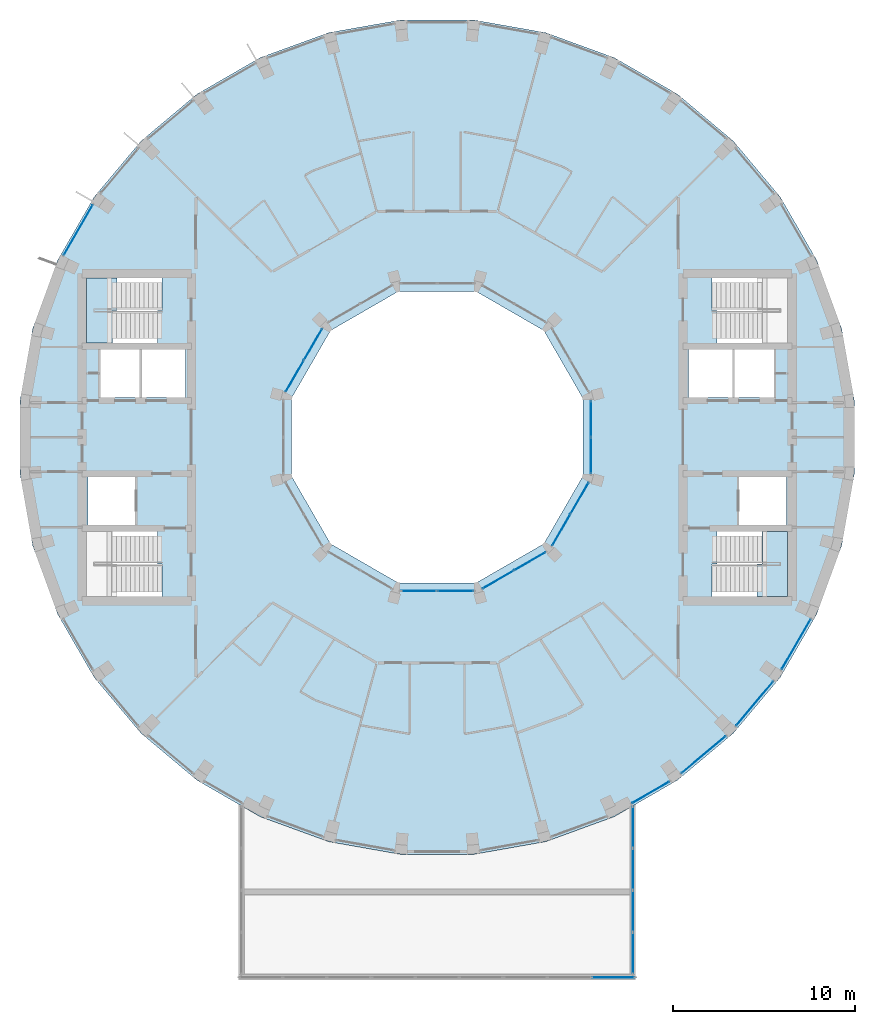
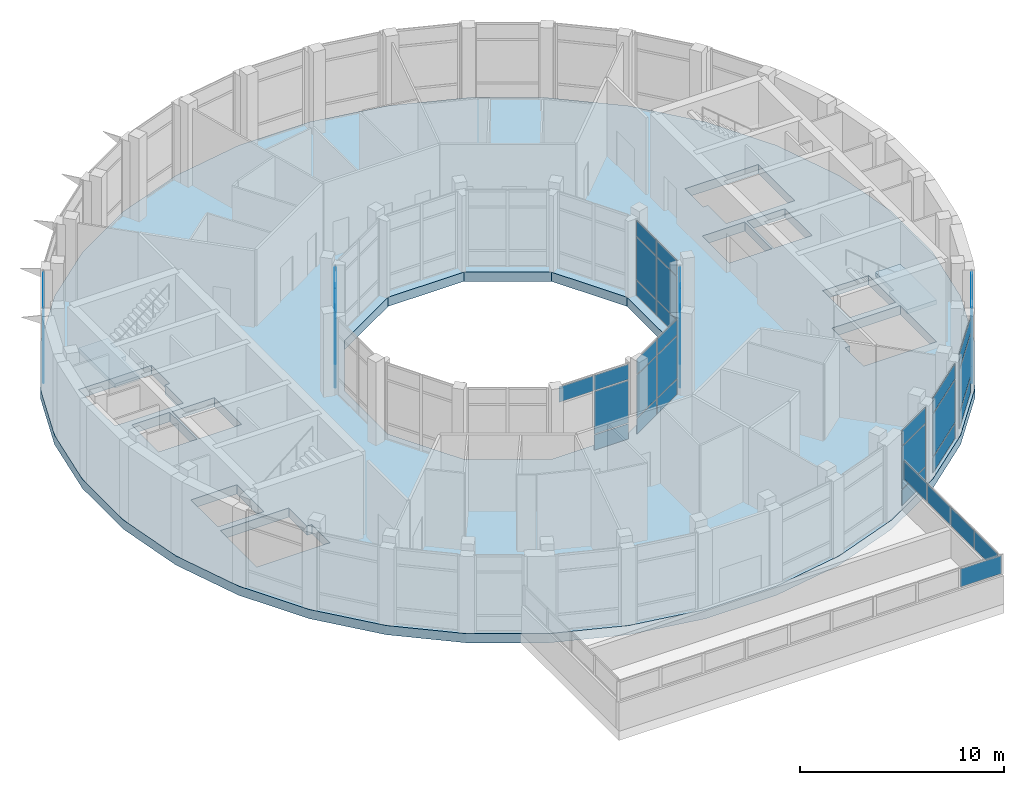
# One storey, part 11 of 19: 48 plates, 3 slabs, 14 elements without a shape of their own.
"""IFC4 building model written with IfcOpenShell, lengths in metres."""

from ifc_helpers import new_model, si_unit, direction, frame, origin, origin_2d, place, context, subcontext, project, spatial, polyline, rectangle, outline, extrude, material, layer, layer_set, type_object, element, aggregate, save


model = new_model("IFC4")

# Units and contexts
model_context = context("Model", 3, precision=1e-05, world=origin(), true_north=direction((0.0, 1.0)))
body_context = subcontext(model_context, "Body", "Model", "MODEL_VIEW")
ifc_project = project(units=[si_unit("LENGTHUNIT", "METRE"), si_unit("AREAUNIT", "SQUARE_METRE"), si_unit("VOLUMEUNIT", "CUBIC_METRE"), si_unit("PLANEANGLEUNIT", "RADIAN"), si_unit("MASSUNIT", "GRAM", prefix="KILO")], contexts=[model_context])

# Site, building, storey
site_placement = place(None, origin())
site = spatial("IfcSite", under=ifc_project, at=site_placement, CompositionType="ELEMENT")
building_placement = place(site_placement, origin())
building = spatial("IfcBuilding", under=site, at=building_placement, Name="Saqina Gate Tower", CompositionType="ELEMENT")
storey_placement = place(building_placement, frame((0.0, 0.0, 224.699951171875)))
storey = spatial("IfcBuildingStorey", under=building, at=storey_placement, Name="L64", CompositionType="ELEMENT", Elevation=224.699951171875)

# Curtain wall, plates
ifc_material_1 = material(Name="Aluminium glazing", Category="aluminium")
ifc_layer_1 = layer(ifc_material_1, 0.159912109375)
ifc_layer_set_1 = layer_set([ifc_layer_1], Name="CWT-2")
curtain_wall_type_1 = type_object("IfcCurtainWallType", Name="CWT-2", PredefinedType="NOTDEFINED", material=ifc_layer_set_1)
curtain_wall_1_placement = place(storey_placement, origin())
curtain_wall_1 = element("IfcCurtainWall", 1, at=curtain_wall_1_placement, inside=storey, type_object=curtain_wall_type_1, Name="Sky lounge glazing facet 15", PredefinedType="NOTDEFINED")
ifc_material_2 = material(Name="Glass", Category="glass")
ifc_layer_2 = layer(ifc_material_2, 0.028076171875)
ifc_layer_set_2 = layer_set([ifc_layer_2], Name="CWT-2P")
plate_type_1 = type_object("IfcPlateType", Name="CWT-2P", PredefinedType="CURTAIN_PANEL", material=ifc_layer_set_2)
plate_1_placement = place(storey_placement, frame((-19.712890625, 11.38134765625, 0.06005859375), z_axis=(0.0, 0.0, 1.0), x_axis=(-0.499982449212, -0.8660355365, 0.0)))
plate_1 = element("IfcPlate", 2, at=plate_1_placement, type_object=plate_type_1, Name="CW2-15 panel 1.1", PredefinedType="CURTAIN_PANEL", context=body_context, shape_type="SweptSolid", body=[
    extrude(rectangle(XDim=3.1318359375, YDim=0.028076171875, at=origin_2d()), origin(), (0.0, 0.0, 1.0), 0.909912109375),
])
plate_2_placement = place(storey_placement, frame((-19.712890625, 11.38134765625, 1.030029296875), z_axis=(0.0, 0.0, 1.0), x_axis=(-0.499982449212, -0.8660355365, 0.0)))
plate_2 = element("IfcPlate", 3, at=plate_2_placement, type_object=plate_type_1, Name="CW2-15 panel 1.2", PredefinedType="CURTAIN_PANEL", context=body_context, shape_type="SweptSolid", body=[
    extrude(rectangle(XDim=3.1318359375, YDim=0.028076171875, at=origin_2d()), origin(), (0.0, 0.0, 1.0), 2.5400390625),
])
plate_3_placement = place(storey_placement, frame((-19.712890625, 11.38134765625, 3.6298828125), z_axis=(0.0, 0.0, 1.0), x_axis=(-0.499982449212, -0.8660355365, 0.0)))
plate_3 = element("IfcPlate", 4, at=plate_3_placement, type_object=plate_type_1, Name="CW2-15 panel 1.3", PredefinedType="CURTAIN_PANEL", context=body_context, shape_type="SweptSolid", body=[
    extrude(rectangle(XDim=3.1318359375, YDim=0.028076171875, at=origin_2d()), origin(), (0.0, 0.0, 1.0), 0.909912109375),
])
aggregate(curtain_wall_1, [plate_1, plate_2, plate_3])

curtain_wall_2_placement = place(storey_placement, origin())
curtain_wall_2 = element("IfcCurtainWall", 5, at=curtain_wall_2_placement, inside=storey, type_object=curtain_wall_type_1, Name="Sky lounge glazing facet 30", PredefinedType="NOTDEFINED")
plate_4_placement = place(storey_placement, frame((11.732177734375, -19.51025390625, 0.06005859375), z_axis=(0.0, 0.0, 1.0), x_axis=(0.866041663294, 0.499971836646, 0.0)))
plate_4 = element("IfcPlate", 6, at=plate_4_placement, type_object=plate_type_1, Name="CW2-30 panel 1.1", PredefinedType="CURTAIN_PANEL", context=body_context, shape_type="SweptSolid", body=[
    extrude(rectangle(XDim=2.3212890625, YDim=0.028076171875, at=origin_2d()), origin(), (0.0, 0.0, 1.0), 0.909912109375),
])
plate_5_placement = place(storey_placement, frame((11.732177734375, -19.51025390625, 1.030029296875), z_axis=(0.0, 0.0, 1.0), x_axis=(0.866041663294, 0.499971836646, 0.0)))
plate_5 = element("IfcPlate", 7, at=plate_5_placement, type_object=plate_type_1, Name="CW2-30 panel 1.2", PredefinedType="CURTAIN_PANEL", context=body_context, shape_type="SweptSolid", body=[
    extrude(rectangle(XDim=2.3212890625, YDim=0.028076171875, at=origin_2d()), origin(), (0.0, 0.0, 1.0), 2.5400390625),
])
plate_6_placement = place(storey_placement, frame((11.732177734375, -19.51025390625, 3.6298828125), z_axis=(0.0, 0.0, 1.0), x_axis=(0.866041663294, 0.499971836646, 0.0)))
plate_6 = element("IfcPlate", 8, at=plate_6_placement, type_object=plate_type_1, Name="CW2-30 panel 1.3", PredefinedType="CURTAIN_PANEL", context=body_context, shape_type="SweptSolid", body=[
    extrude(rectangle(XDim=2.3212890625, YDim=0.028076171875, at=origin_2d()), origin(), (0.0, 0.0, 1.0), 0.909912109375),
])
aggregate(curtain_wall_2, [plate_4, plate_5, plate_6])

curtain_wall_3_placement = place(storey_placement, origin())
curtain_wall_3 = element("IfcCurtainWall", 9, at=curtain_wall_3_placement, inside=storey, type_object=curtain_wall_type_1, Name="Sky lounge glazing facet 31", PredefinedType="NOTDEFINED")
plate_7_placement = place(storey_placement, frame((14.63134765625, -17.43701171875, 0.06005859375), z_axis=(0.0, 0.0, 1.0), x_axis=(0.766046452821, 0.642785214609, 0.0)))
plate_7 = element("IfcPlate", 10, at=plate_7_placement, type_object=plate_type_1, Name="CW2-31 panel 1.1", PredefinedType="CURTAIN_PANEL", context=body_context, shape_type="SweptSolid", body=[
    extrude(rectangle(XDim=3.131591796875, YDim=0.028076171875, at=origin_2d()), origin(), (0.0, 0.0, 1.0), 0.909912109375),
])
plate_8_placement = place(storey_placement, frame((14.63134765625, -17.43701171875, 1.030029296875), z_axis=(0.0, 0.0, 1.0), x_axis=(0.766046452821, 0.642785214609, 0.0)))
plate_8 = element("IfcPlate", 11, at=plate_8_placement, type_object=plate_type_1, Name="CW2-31 panel 1.2", PredefinedType="CURTAIN_PANEL", context=body_context, shape_type="SweptSolid", body=[
    extrude(rectangle(XDim=3.131591796875, YDim=0.028076171875, at=origin_2d()), origin(), (0.0, 0.0, 1.0), 2.5400390625),
])
plate_9_placement = place(storey_placement, frame((14.63134765625, -17.43701171875, 3.6298828125), z_axis=(0.0, 0.0, 1.0), x_axis=(0.766046452821, 0.642785214609, 0.0)))
plate_9 = element("IfcPlate", 12, at=plate_9_placement, type_object=plate_type_1, Name="CW2-31 panel 1.3", PredefinedType="CURTAIN_PANEL", context=body_context, shape_type="SweptSolid", body=[
    extrude(rectangle(XDim=3.131591796875, YDim=0.028076171875, at=origin_2d()), origin(), (0.0, 0.0, 1.0), 0.909912109375),
])
aggregate(curtain_wall_3, [plate_7, plate_8, plate_9])

curtain_wall_4_placement = place(storey_placement, origin())
curtain_wall_4 = element("IfcCurtainWall", 13, at=curtain_wall_4_placement, inside=storey, type_object=curtain_wall_type_1, Name="Sky lounge glazing facet 32", PredefinedType="NOTDEFINED")
plate_10_placement = place(storey_placement, frame((17.43701171875, -14.63134765625, 0.06005859375), z_axis=(0.0, 0.0, 1.0), x_axis=(0.642785214609, 0.766046452821, 0.0)))
plate_10 = element("IfcPlate", 14, at=plate_10_placement, type_object=plate_type_1, Name="CW2-32 panel 1.1", PredefinedType="CURTAIN_PANEL", context=body_context, shape_type="SweptSolid", body=[
    extrude(rectangle(XDim=3.131591796875, YDim=0.028076171875, at=origin_2d()), origin(), (0.0, 0.0, 1.0), 0.909912109375),
])
plate_11_placement = place(storey_placement, frame((17.43701171875, -14.63134765625, 1.030029296875), z_axis=(0.0, 0.0, 1.0), x_axis=(0.642785214609, 0.766046452821, 0.0)))
plate_11 = element("IfcPlate", 15, at=plate_11_placement, type_object=plate_type_1, Name="CW2-32 panel 1.2", PredefinedType="CURTAIN_PANEL", context=body_context, shape_type="SweptSolid", body=[
    extrude(rectangle(XDim=3.131591796875, YDim=0.028076171875, at=origin_2d()), origin(), (0.0, 0.0, 1.0), 2.5400390625),
])
plate_12_placement = place(storey_placement, frame((17.43701171875, -14.63134765625, 3.6298828125), z_axis=(0.0, 0.0, 1.0), x_axis=(0.642785214609, 0.766046452821, 0.0)))
plate_12 = element("IfcPlate", 16, at=plate_12_placement, type_object=plate_type_1, Name="CW2-32 panel 1.3", PredefinedType="CURTAIN_PANEL", context=body_context, shape_type="SweptSolid", body=[
    extrude(rectangle(XDim=3.131591796875, YDim=0.028076171875, at=origin_2d()), origin(), (0.0, 0.0, 1.0), 0.909912109375),
])
aggregate(curtain_wall_4, [plate_10, plate_11, plate_12])

curtain_wall_5_placement = place(storey_placement, origin())
curtain_wall_5 = element("IfcCurtainWall", 17, at=curtain_wall_5_placement, inside=storey, type_object=curtain_wall_type_1, Name="Sky lounge glazing facet 33", PredefinedType="NOTDEFINED")
plate_13_placement = place(storey_placement, frame((19.712890625, -11.38134765625, 0.06005859375), z_axis=(0.0, 0.0, 1.0), x_axis=(0.499982449212, 0.8660355365, 0.0)))
plate_13 = element("IfcPlate", 18, at=plate_13_placement, type_object=plate_type_1, Name="CW2-33 panel 1.1", PredefinedType="CURTAIN_PANEL", context=body_context, shape_type="SweptSolid", body=[
    extrude(rectangle(XDim=3.1318359375, YDim=0.028076171875, at=origin_2d()), origin(), (0.0, 0.0, 1.0), 0.909912109375),
])
plate_14_placement = place(storey_placement, frame((19.712890625, -11.38134765625, 1.030029296875), z_axis=(0.0, 0.0, 1.0), x_axis=(0.499982449212, 0.8660355365, 0.0)))
plate_14 = element("IfcPlate", 19, at=plate_14_placement, type_object=plate_type_1, Name="CW2-33 panel 1.2", PredefinedType="CURTAIN_PANEL", context=body_context, shape_type="SweptSolid", body=[
    extrude(rectangle(XDim=3.1318359375, YDim=0.028076171875, at=origin_2d()), origin(), (0.0, 0.0, 1.0), 2.5400390625),
])
plate_15_placement = place(storey_placement, frame((19.712890625, -11.38134765625, 3.6298828125), z_axis=(0.0, 0.0, 1.0), x_axis=(0.499982449212, 0.8660355365, 0.0)))
plate_15 = element("IfcPlate", 20, at=plate_15_placement, type_object=plate_type_1, Name="CW2-33 panel 1.3", PredefinedType="CURTAIN_PANEL", context=body_context, shape_type="SweptSolid", body=[
    extrude(rectangle(XDim=3.1318359375, YDim=0.028076171875, at=origin_2d()), origin(), (0.0, 0.0, 1.0), 0.909912109375),
])
aggregate(curtain_wall_5, [plate_13, plate_14, plate_15])

ifc_material_3 = material(Name="Aluminium glazing", Category="aluminium")
ifc_layer_3 = layer(ifc_material_3, 0.159912109375)
ifc_layer_set_3 = layer_set([ifc_layer_3], Name="CWT-3")
curtain_wall_type_2 = type_object("IfcCurtainWallType", Name="CWT-3", PredefinedType="NOTDEFINED", material=ifc_layer_set_3)
curtain_wall_6_placement = place(storey_placement, origin())
curtain_wall_6 = element("IfcCurtainWall", 21, at=curtain_wall_6_placement, inside=storey, type_object=curtain_wall_type_2, Name="Sky lounge well glazing L64 facet 5", PredefinedType="NOTDEFINED")
ifc_material_4 = material(Name="Glass", Category="glass")
ifc_layer_4 = layer(ifc_material_4, 0.028076171875)
ifc_layer_set_4 = layer_set([ifc_layer_4], Name="CWT-3P")
plate_type_2 = type_object("IfcPlateType", Name="CWT-3P", PredefinedType="CURTAIN_PANEL", material=ifc_layer_set_4)
plate_16_placement = place(storey_placement, frame((-6.818115234375, 5.0908203125, 0.06005859375), z_axis=(0.0, 0.0, 1.0), x_axis=(-0.500002550729, -0.866023931115, 0.0)))
plate_16 = element("IfcPlate", 22, at=plate_16_placement, type_object=plate_type_2, Name="CW3-05 panel 1.1", PredefinedType="CURTAIN_PANEL", context=body_context, shape_type="SweptSolid", body=[
    extrude(rectangle(XDim=1.939453125, YDim=0.028076171875, at=origin_2d()), origin(), (0.0, 0.0, 1.0), 0.909912109375),
])
plate_17_placement = place(storey_placement, frame((-6.818115234375, 5.0908203125, 1.030029296875), z_axis=(0.0, 0.0, 1.0), x_axis=(-0.500002550729, -0.866023931115, 0.0)))
plate_17 = element("IfcPlate", 23, at=plate_17_placement, type_object=plate_type_2, Name="CW3-05 panel 1.2", PredefinedType="CURTAIN_PANEL", context=body_context, shape_type="SweptSolid", body=[
    extrude(rectangle(XDim=1.939453125, YDim=0.028076171875, at=origin_2d()), origin(), (0.0, 0.0, 1.0), 2.5400390625),
])
plate_18_placement = place(storey_placement, frame((-6.818115234375, 5.0908203125, 3.6298828125), z_axis=(0.0, 0.0, 1.0), x_axis=(-0.500002550729, -0.866023931115, 0.0)))
plate_18 = element("IfcPlate", 24, at=plate_18_placement, type_object=plate_type_2, Name="CW3-05 panel 1.3", PredefinedType="CURTAIN_PANEL", context=body_context, shape_type="SweptSolid", body=[
    extrude(rectangle(XDim=1.939453125, YDim=0.028076171875, at=origin_2d()), origin(), (0.0, 0.0, 1.0), 0.909912109375),
])
plate_19_placement = place(storey_placement, frame((-7.81787109375, 3.359130859375, 0.06005859375), z_axis=(0.0, 0.0, 1.0), x_axis=(-0.500002550729, -0.866023931115, 0.0)))
plate_19 = element("IfcPlate", 25, at=plate_19_placement, type_object=plate_type_2, Name="CW3-05 panel 2.1", PredefinedType="CURTAIN_PANEL", context=body_context, shape_type="SweptSolid", body=[
    extrude(rectangle(XDim=1.939453125, YDim=0.028076171875, at=origin_2d()), origin(), (0.0, 0.0, 1.0), 0.909912109375),
])
plate_20_placement = place(storey_placement, frame((-7.81787109375, 3.359130859375, 1.030029296875), z_axis=(0.0, 0.0, 1.0), x_axis=(-0.500002550729, -0.866023931115, 0.0)))
plate_20 = element("IfcPlate", 26, at=plate_20_placement, type_object=plate_type_2, Name="CW3-05 panel 2.2", PredefinedType="CURTAIN_PANEL", context=body_context, shape_type="SweptSolid", body=[
    extrude(rectangle(XDim=1.939453125, YDim=0.028076171875, at=origin_2d()), origin(), (0.0, 0.0, 1.0), 2.5400390625),
])
plate_21_placement = place(storey_placement, frame((-7.81787109375, 3.359130859375, 3.6298828125), z_axis=(0.0, 0.0, 1.0), x_axis=(-0.500002550729, -0.866023931115, 0.0)))
plate_21 = element("IfcPlate", 27, at=plate_21_placement, type_object=plate_type_2, Name="CW3-05 panel 2.3", PredefinedType="CURTAIN_PANEL", context=body_context, shape_type="SweptSolid", body=[
    extrude(rectangle(XDim=1.939453125, YDim=0.028076171875, at=origin_2d()), origin(), (0.0, 0.0, 1.0), 0.909912109375),
])
aggregate(curtain_wall_6, [plate_16, plate_17, plate_18, plate_19, plate_20, plate_21])

curtain_wall_7_placement = place(storey_placement, origin())
curtain_wall_7 = element("IfcCurtainWall", 28, at=curtain_wall_7_placement, inside=storey, type_object=curtain_wall_type_2, Name="Sky lounge well glazing L64 facet 9", PredefinedType="NOTDEFINED")
plate_22_placement = place(storey_placement, frame((-0.999755859375, -8.449951171875, 3.6298828125), z_axis=(0.0, 0.0, 1.0), x_axis=(1.0, 0.0, 0.0)))
plate_22 = element("IfcPlate", 29, at=plate_22_placement, type_object=plate_type_2, Name="CW3-09 panel 1.3", PredefinedType="CURTAIN_PANEL", context=body_context, shape_type="SweptSolid", body=[
    extrude(rectangle(XDim=1.939453125, YDim=0.028076171875, at=origin_2d()), origin(), (0.0, 0.0, 1.0), 0.909912109375),
])
plate_23_placement = place(storey_placement, frame((0.999755859375, -8.449951171875, 0.06005859375), z_axis=(0.0, 0.0, 1.0), x_axis=(1.0, 0.0, 0.0)))
plate_23 = element("IfcPlate", 30, at=plate_23_placement, type_object=plate_type_2, Name="CW3-09 panel 2.1", PredefinedType="CURTAIN_PANEL", context=body_context, shape_type="SweptSolid", body=[
    extrude(rectangle(XDim=1.939453125, YDim=0.028076171875, at=origin_2d()), origin(), (0.0, 0.0, 1.0), 0.909912109375),
])
plate_24_placement = place(storey_placement, frame((0.999755859375, -8.449951171875, 1.030029296875), z_axis=(0.0, 0.0, 1.0), x_axis=(1.0, 0.0, 0.0)))
plate_24 = element("IfcPlate", 31, at=plate_24_placement, type_object=plate_type_2, Name="CW3-09 panel 2.2", PredefinedType="CURTAIN_PANEL", context=body_context, shape_type="SweptSolid", body=[
    extrude(rectangle(XDim=1.939453125, YDim=0.028076171875, at=origin_2d()), origin(), (0.0, 0.0, 1.0), 2.5400390625),
])
plate_25_placement = place(storey_placement, frame((0.999755859375, -8.449951171875, 3.6298828125), z_axis=(0.0, 0.0, 1.0), x_axis=(1.0, 0.0, 0.0)))
plate_25 = element("IfcPlate", 32, at=plate_25_placement, type_object=plate_type_2, Name="CW3-09 panel 2.3", PredefinedType="CURTAIN_PANEL", context=body_context, shape_type="SweptSolid", body=[
    extrude(rectangle(XDim=1.939453125, YDim=0.028076171875, at=origin_2d()), origin(), (0.0, 0.0, 1.0), 0.909912109375),
])
aggregate(curtain_wall_7, [plate_22, plate_23, plate_24, plate_25])

curtain_wall_8_placement = place(storey_placement, origin())
curtain_wall_8 = element("IfcCurtainWall", 33, at=curtain_wall_8_placement, inside=storey, type_object=curtain_wall_type_2, Name="Sky lounge well glazing L64 facet 10", PredefinedType="NOTDEFINED")
plate_26_placement = place(storey_placement, frame((3.359130859375, -7.81787109375, 0.06005859375), z_axis=(0.0, 0.0, 1.0), x_axis=(0.866023931115, 0.500002550729, 0.0)))
plate_26 = element("IfcPlate", 34, at=plate_26_placement, type_object=plate_type_2, Name="CW3-10 panel 1.1", PredefinedType="CURTAIN_PANEL", context=body_context, shape_type="SweptSolid", body=[
    extrude(rectangle(XDim=1.939453125, YDim=0.028076171875, at=origin_2d()), origin(), (0.0, 0.0, 1.0), 0.909912109375),
])
plate_27_placement = place(storey_placement, frame((3.359130859375, -7.81787109375, 1.030029296875), z_axis=(0.0, 0.0, 1.0), x_axis=(0.866023931115, 0.500002550729, 0.0)))
plate_27 = element("IfcPlate", 35, at=plate_27_placement, type_object=plate_type_2, Name="CW3-10 panel 1.2", PredefinedType="CURTAIN_PANEL", context=body_context, shape_type="SweptSolid", body=[
    extrude(rectangle(XDim=1.939453125, YDim=0.028076171875, at=origin_2d()), origin(), (0.0, 0.0, 1.0), 2.5400390625),
])
plate_28_placement = place(storey_placement, frame((3.359130859375, -7.81787109375, 3.6298828125), z_axis=(0.0, 0.0, 1.0), x_axis=(0.866023931115, 0.500002550729, 0.0)))
plate_28 = element("IfcPlate", 36, at=plate_28_placement, type_object=plate_type_2, Name="CW3-10 panel 1.3", PredefinedType="CURTAIN_PANEL", context=body_context, shape_type="SweptSolid", body=[
    extrude(rectangle(XDim=1.939453125, YDim=0.028076171875, at=origin_2d()), origin(), (0.0, 0.0, 1.0), 0.909912109375),
])
plate_29_placement = place(storey_placement, frame((5.0908203125, -6.818115234375, 0.06005859375), z_axis=(0.0, 0.0, 1.0), x_axis=(0.866023931115, 0.500002550729, 0.0)))
plate_29 = element("IfcPlate", 37, at=plate_29_placement, type_object=plate_type_2, Name="CW3-10 panel 2.1", PredefinedType="CURTAIN_PANEL", context=body_context, shape_type="SweptSolid", body=[
    extrude(rectangle(XDim=1.939453125, YDim=0.028076171875, at=origin_2d()), origin(), (0.0, 0.0, 1.0), 0.909912109375),
])
plate_30_placement = place(storey_placement, frame((5.0908203125, -6.818115234375, 1.030029296875), z_axis=(0.0, 0.0, 1.0), x_axis=(0.866023931115, 0.500002550729, 0.0)))
plate_30 = element("IfcPlate", 38, at=plate_30_placement, type_object=plate_type_2, Name="CW3-10 panel 2.2", PredefinedType="CURTAIN_PANEL", context=body_context, shape_type="SweptSolid", body=[
    extrude(rectangle(XDim=1.939453125, YDim=0.028076171875, at=origin_2d()), origin(), (0.0, 0.0, 1.0), 2.5400390625),
])
plate_31_placement = place(storey_placement, frame((5.0908203125, -6.818115234375, 3.6298828125), z_axis=(0.0, 0.0, 1.0), x_axis=(0.866023931115, 0.500002550729, 0.0)))
plate_31 = element("IfcPlate", 39, at=plate_31_placement, type_object=plate_type_2, Name="CW3-10 panel 2.3", PredefinedType="CURTAIN_PANEL", context=body_context, shape_type="SweptSolid", body=[
    extrude(rectangle(XDim=1.939453125, YDim=0.028076171875, at=origin_2d()), origin(), (0.0, 0.0, 1.0), 0.909912109375),
])
aggregate(curtain_wall_8, [plate_26, plate_27, plate_28, plate_29, plate_30, plate_31])

curtain_wall_9_placement = place(storey_placement, origin())
curtain_wall_9 = element("IfcCurtainWall", 40, at=curtain_wall_9_placement, inside=storey, type_object=curtain_wall_type_2, Name="Sky lounge well glazing L64 facet 11", PredefinedType="NOTDEFINED")
plate_32_placement = place(storey_placement, frame((6.818115234375, -5.0908203125, 0.06005859375), z_axis=(0.0, 0.0, 1.0), x_axis=(0.500002550729, 0.866023931115, 0.0)))
plate_32 = element("IfcPlate", 41, at=plate_32_placement, type_object=plate_type_2, Name="CW3-11 panel 1.1", PredefinedType="CURTAIN_PANEL", context=body_context, shape_type="SweptSolid", body=[
    extrude(rectangle(XDim=1.939453125, YDim=0.028076171875, at=origin_2d()), origin(), (0.0, 0.0, 1.0), 0.909912109375),
])
plate_33_placement = place(storey_placement, frame((6.818115234375, -5.0908203125, 1.030029296875), z_axis=(0.0, 0.0, 1.0), x_axis=(0.500002550729, 0.866023931115, 0.0)))
plate_33 = element("IfcPlate", 42, at=plate_33_placement, type_object=plate_type_2, Name="CW3-11 panel 1.2", PredefinedType="CURTAIN_PANEL", context=body_context, shape_type="SweptSolid", body=[
    extrude(rectangle(XDim=1.939453125, YDim=0.028076171875, at=origin_2d()), origin(), (0.0, 0.0, 1.0), 2.5400390625),
])
plate_34_placement = place(storey_placement, frame((6.818115234375, -5.0908203125, 3.6298828125), z_axis=(0.0, 0.0, 1.0), x_axis=(0.500002550729, 0.866023931115, 0.0)))
plate_34 = element("IfcPlate", 43, at=plate_34_placement, type_object=plate_type_2, Name="CW3-11 panel 1.3", PredefinedType="CURTAIN_PANEL", context=body_context, shape_type="SweptSolid", body=[
    extrude(rectangle(XDim=1.939453125, YDim=0.028076171875, at=origin_2d()), origin(), (0.0, 0.0, 1.0), 0.909912109375),
])
plate_35_placement = place(storey_placement, frame((7.81787109375, -3.359130859375, 0.06005859375), z_axis=(0.0, 0.0, 1.0), x_axis=(0.500002550729, 0.866023931115, 0.0)))
plate_35 = element("IfcPlate", 44, at=plate_35_placement, type_object=plate_type_2, Name="CW3-11 panel 2.1", PredefinedType="CURTAIN_PANEL", context=body_context, shape_type="SweptSolid", body=[
    extrude(rectangle(XDim=1.939453125, YDim=0.028076171875, at=origin_2d()), origin(), (0.0, 0.0, 1.0), 0.909912109375),
])
plate_36_placement = place(storey_placement, frame((7.81787109375, -3.359130859375, 1.030029296875), z_axis=(0.0, 0.0, 1.0), x_axis=(0.500002550729, 0.866023931115, 0.0)))
plate_36 = element("IfcPlate", 45, at=plate_36_placement, type_object=plate_type_2, Name="CW3-11 panel 2.2", PredefinedType="CURTAIN_PANEL", context=body_context, shape_type="SweptSolid", body=[
    extrude(rectangle(XDim=1.939453125, YDim=0.028076171875, at=origin_2d()), origin(), (0.0, 0.0, 1.0), 2.5400390625),
])
plate_37_placement = place(storey_placement, frame((7.81787109375, -3.359130859375, 3.6298828125), z_axis=(0.0, 0.0, 1.0), x_axis=(0.500002550729, 0.866023931115, 0.0)))
plate_37 = element("IfcPlate", 46, at=plate_37_placement, type_object=plate_type_2, Name="CW3-11 panel 2.3", PredefinedType="CURTAIN_PANEL", context=body_context, shape_type="SweptSolid", body=[
    extrude(rectangle(XDim=1.939453125, YDim=0.028076171875, at=origin_2d()), origin(), (0.0, 0.0, 1.0), 0.909912109375),
])
aggregate(curtain_wall_9, [plate_32, plate_33, plate_34, plate_35, plate_36, plate_37])

curtain_wall_10_placement = place(storey_placement, origin())
curtain_wall_10 = element("IfcCurtainWall", 47, at=curtain_wall_10_placement, inside=storey, type_object=curtain_wall_type_2, Name="Sky lounge well glazing L64 facet 12", PredefinedType="NOTDEFINED")
plate_38_placement = place(storey_placement, frame((8.449951171875, -0.999755859375, 0.06005859375), z_axis=(0.0, 0.0, 1.0), x_axis=(0.0, 1.0, 0.0)))
plate_38 = element("IfcPlate", 48, at=plate_38_placement, type_object=plate_type_2, Name="CW3-12 panel 1.1", PredefinedType="CURTAIN_PANEL", context=body_context, shape_type="SweptSolid", body=[
    extrude(rectangle(XDim=1.939453125, YDim=0.028076171875, at=origin_2d()), origin(), (0.0, 0.0, 1.0), 0.909912109375),
])
plate_39_placement = place(storey_placement, frame((8.449951171875, -0.999755859375, 1.030029296875), z_axis=(0.0, 0.0, 1.0), x_axis=(0.0, 1.0, 0.0)))
plate_39 = element("IfcPlate", 49, at=plate_39_placement, type_object=plate_type_2, Name="CW3-12 panel 1.2", PredefinedType="CURTAIN_PANEL", context=body_context, shape_type="SweptSolid", body=[
    extrude(rectangle(XDim=1.939453125, YDim=0.028076171875, at=origin_2d()), origin(), (0.0, 0.0, 1.0), 2.5400390625),
])
plate_40_placement = place(storey_placement, frame((8.449951171875, -0.999755859375, 3.6298828125), z_axis=(0.0, 0.0, 1.0), x_axis=(0.0, 1.0, 0.0)))
plate_40 = element("IfcPlate", 50, at=plate_40_placement, type_object=plate_type_2, Name="CW3-12 panel 1.3", PredefinedType="CURTAIN_PANEL", context=body_context, shape_type="SweptSolid", body=[
    extrude(rectangle(XDim=1.939453125, YDim=0.028076171875, at=origin_2d()), origin(), (0.0, 0.0, 1.0), 0.909912109375),
])
plate_41_placement = place(storey_placement, frame((8.449951171875, 0.999755859375, 0.06005859375), z_axis=(0.0, 0.0, 1.0), x_axis=(0.0, 1.0, 0.0)))
plate_41 = element("IfcPlate", 51, at=plate_41_placement, type_object=plate_type_2, Name="CW3-12 panel 2.1", PredefinedType="CURTAIN_PANEL", context=body_context, shape_type="SweptSolid", body=[
    extrude(rectangle(XDim=1.939453125, YDim=0.028076171875, at=origin_2d()), origin(), (0.0, 0.0, 1.0), 0.909912109375),
])
plate_42_placement = place(storey_placement, frame((8.449951171875, 0.999755859375, 1.030029296875), z_axis=(0.0, 0.0, 1.0), x_axis=(0.0, 1.0, 0.0)))
plate_42 = element("IfcPlate", 52, at=plate_42_placement, type_object=plate_type_2, Name="CW3-12 panel 2.2", PredefinedType="CURTAIN_PANEL", context=body_context, shape_type="SweptSolid", body=[
    extrude(rectangle(XDim=1.939453125, YDim=0.028076171875, at=origin_2d()), origin(), (0.0, 0.0, 1.0), 2.5400390625),
])
plate_43_placement = place(storey_placement, frame((8.449951171875, 0.999755859375, 3.6298828125), z_axis=(0.0, 0.0, 1.0), x_axis=(0.0, 1.0, 0.0)))
plate_43 = element("IfcPlate", 53, at=plate_43_placement, type_object=plate_type_2, Name="CW3-12 panel 2.3", PredefinedType="CURTAIN_PANEL", context=body_context, shape_type="SweptSolid", body=[
    extrude(rectangle(XDim=1.939453125, YDim=0.028076171875, at=origin_2d()), origin(), (0.0, 0.0, 1.0), 0.909912109375),
])
aggregate(curtain_wall_10, [plate_38, plate_39, plate_40, plate_41, plate_42, plate_43])

# Curtain wall, plate
ifc_material_5 = material(Name="Aluminium glazing", Category="aluminium")
ifc_layer_5 = layer(ifc_material_5, 0.159912109375)
ifc_layer_set_5 = layer_set([ifc_layer_5], Name="CWT-6")
curtain_wall_type_3 = type_object("IfcCurtainWallType", Name="CWT-6", PredefinedType="NOTDEFINED", material=ifc_layer_set_5)
curtain_wall_11_placement = place(storey_placement, origin())
curtain_wall_11 = element("IfcCurtainWall", 54, at=curtain_wall_11_placement, inside=storey, type_object=curtain_wall_type_3, Name="Sky pool glass S3", PredefinedType="NOTDEFINED")
ifc_material_6 = material(Name="Glass", Category="glass")
ifc_layer_6 = layer(ifc_material_6, 0.028076171875)
ifc_layer_set_6 = layer_set([ifc_layer_6], Name="CWT-6P")
plate_type_3 = type_object("IfcPlateType", Name="CWT-6P", PredefinedType="CURTAIN_PANEL", material=ifc_layer_set_6)
plate_44_placement = place(storey_placement, frame((9.673828125, -29.66259765625, 1.760009765625), z_axis=(0.0, 0.0, 1.0), x_axis=(1.0, 0.0, 0.0)))
plate_44 = element("IfcPlate", 55, at=plate_44_placement, type_object=plate_type_3, Name="CW6-S3 panel 3.1", PredefinedType="CURTAIN_PANEL", context=body_context, shape_type="SweptSolid", body=[
    extrude(rectangle(XDim=2.332275390625, YDim=0.028076171875, at=origin_2d()), origin(), (0.0, 0.0, 1.0), 1.080078125),
])
aggregate(curtain_wall_11, [plate_44])

# Curtain wall, plates
curtain_wall_12_placement = place(storey_placement, origin())
curtain_wall_12 = element("IfcCurtainWall", 56, at=curtain_wall_12_placement, inside=storey, type_object=curtain_wall_type_3, Name="Sky pool glass E", PredefinedType="NOTDEFINED")
plate_45_placement = place(storey_placement, frame((10.75, -28.33984375, 1.760009765625), z_axis=(0.0, 0.0, 1.0), x_axis=(0.0, 1.0, 0.0)))
plate_45 = element("IfcPlate", 57, at=plate_45_placement, type_object=plate_type_3, Name="CW6-E panel 1.1", PredefinedType="CURTAIN_PANEL", context=body_context, shape_type="SweptSolid", body=[
    extrude(rectangle(XDim=2.2255859375, YDim=0.028076171875, at=origin_2d()), origin(), (0.0, 0.0, 1.0), 1.080078125),
])
plate_46_placement = place(storey_placement, frame((10.75, -26.039306640625, 1.760009765625), z_axis=(0.0, 0.0, 1.0), x_axis=(0.0, 1.0, 0.0)))
plate_46 = element("IfcPlate", 58, at=plate_46_placement, type_object=plate_type_3, Name="CW6-E panel 2.1", PredefinedType="CURTAIN_PANEL", context=body_context, shape_type="SweptSolid", body=[
    extrude(rectangle(XDim=2.255615234375, YDim=0.028076171875, at=origin_2d()), origin(), (0.0, 0.0, 1.0), 1.080078125),
])
plate_47_placement = place(storey_placement, frame((10.75, -23.7236328125, 1.760009765625), z_axis=(0.0, 0.0, 1.0), x_axis=(0.0, 1.0, 0.0)))
plate_47 = element("IfcPlate", 59, at=plate_47_placement, type_object=plate_type_3, Name="CW6-E panel 3.1", PredefinedType="CURTAIN_PANEL", context=body_context, shape_type="SweptSolid", body=[
    extrude(rectangle(XDim=2.255615234375, YDim=0.028076171875, at=origin_2d()), origin(), (0.0, 0.0, 1.0), 1.080078125),
])
plate_48_placement = place(storey_placement, frame((10.75, -21.42333984375, 1.760009765625), z_axis=(0.0, 0.0, 1.0), x_axis=(0.0, 1.0, 0.0)))
plate_48 = element("IfcPlate", 60, at=plate_48_placement, type_object=plate_type_3, Name="CW6-E panel 4.1", PredefinedType="CURTAIN_PANEL", context=body_context, shape_type="SweptSolid", body=[
    extrude(rectangle(XDim=2.2255859375, YDim=0.028076171875, at=origin_2d()), origin(), (0.0, 0.0, 1.0), 1.080078125),
])
aggregate(curtain_wall_12, [plate_45, plate_46, plate_47, plate_48])

# Stair, slab
ifc_material_7 = material(Name="Concrete C40/50", Category="concrete")
stair_type = type_object("IfcStairType", Name="EXIT STAIR", PredefinedType="HALF_TURN_STAIR", material=ifc_material_7)
stair_1_placement = place(storey_placement, origin())
stair_1 = element("IfcStair", 61, at=stair_1_placement, inside=storey, type_object=stair_type, Name="EXIT STAIR 2", PredefinedType="HALF_TURN_STAIR")
ifc_material_8 = material(Name="Concrete C40/50", Category="concrete")
ifc_layer_7 = layer(ifc_material_8, 0.25)
ifc_layer_set_7 = layer_set([ifc_layer_7], Name="Concrete C40/50")
slab_type_1 = type_object("IfcSlabType", Name="EXIT STAIR LANDING", PredefinedType="LANDING", material=ifc_layer_set_7)
slab_1_placement = place(storey_placement, frame((0.0, 0.0, 2.25)))
slab_1 = element("IfcSlab", 62, at=slab_1_placement, type_object=slab_type_1, Name="EXIT STAIR 2 LANDING 1", PredefinedType="LANDING", context=body_context, shape_type="SweptSolid", body=[
    extrude(outline(polyline([(17.57568359375, -8.75), (17.57568359375, -6.96240234375), (17.844970703125, -6.96240234375), (17.844970703125, -5.175048828125), (19.25, -5.175048828125), (19.25, -8.75), (17.85009765625, -8.75), (17.844970703125, -8.75), (17.57568359375, -8.75)])), origin(), (0.0, 0.0, 1.0), 0.25),
])
aggregate(stair_1, [slab_1])

stair_2_placement = place(storey_placement, origin())
stair_2 = element("IfcStair", 63, at=stair_2_placement, inside=storey, type_object=stair_type, Name="EXIT STAIR 3", PredefinedType="HALF_TURN_STAIR")
slab_2_placement = place(storey_placement, frame((0.0, 0.0, 2.25)))
slab_2 = element("IfcSlab", 64, at=slab_2_placement, type_object=slab_type_1, Name="EXIT STAIR 3 LANDING 1", PredefinedType="LANDING", context=body_context, shape_type="SweptSolid", body=[
    extrude(outline(polyline([(-17.844970703125, 5.175048828125), (-19.25, 5.175048828125), (-19.25, 8.75), (-17.85009765625, 8.75), (-17.844970703125, 8.75), (-17.57568359375, 8.75), (-17.57568359375, 6.96240234375), (-17.844970703125, 6.96240234375), (-17.844970703125, 5.175048828125)])), origin(), (0.0, 0.0, 1.0), 0.25),
])
aggregate(stair_2, [slab_2])

# Slab
ifc_material_9 = material(Name="Concrete C40/50", Category="concrete")
ifc_layer_8 = layer(ifc_material_9, 0.550048828125)
ifc_layer_set_8 = layer_set([ifc_layer_8], Name="Concrete C40/50")
slab_type_2 = type_object("IfcSlabType", Name="STR-POST-TENSIONED FLAT PLATE FLOOR-550", PredefinedType="FLOOR", material=ifc_layer_set_8)
slab_3_placement = place(storey_placement, frame((0.0, 0.0, -0.550048828125)))
element("IfcSlab", 65, at=slab_3_placement, inside=storey, type_object=slab_type_2, Name="L64-SLB01", PredefinedType="FLOOR", context=body_context, shape_type="SweptSolid", body=[
    extrude(outline(polyline([(22.21630859375, -5.952880859375), (22.91259765625, -2.004638671875), (22.91259765625, 2.004638671875), (22.21630859375, 5.952880859375), (20.844970703125, 9.72021484375), (18.840576171875, 13.192138671875), (16.263427734375, 16.263427734375), (13.192138671875, 18.840576171875), (9.72021484375, 20.844970703125), (5.952880859375, 22.21630859375), (2.004638671875, 22.91259765625), (-2.004638671875, 22.91259765625), (-5.952880859375, 22.21630859375), (-9.72021484375, 20.844970703125), (-13.192138671875, 18.840576171875), (-16.263427734375, 16.263427734375), (-18.840576171875, 13.192138671875), (-20.844970703125, 9.72021484375), (-22.21630859375, 5.952880859375), (-22.91259765625, 2.004638671875), (-22.91259765625, -2.004638671875), (-22.21630859375, -5.952880859375), (-20.844970703125, -9.72021484375), (-18.840576171875, -13.192138671875), (-16.263427734375, -16.263427734375), (-13.192138671875, -18.840576171875), (-9.72021484375, -20.844970703125), (-5.952880859375, -22.21630859375), (-2.004638671875, -22.91259765625), (2.004638671875, -22.91259765625), (5.952880859375, -22.21630859375), (9.72021484375, -20.844970703125), (13.192138671875, -18.840576171875), (16.263427734375, -16.263427734375), (18.840576171875, -13.192138671875), (20.844970703125, -9.72021484375), (22.21630859375, -5.952880859375)]), holes=[polyline([(2.1435546875, 8.0), (5.8564453125, 5.8564453125), (8.0, 2.1435546875), (8.0, -2.1435546875), (5.8564453125, -5.8564453125), (2.1435546875, -8.0), (-2.1435546875, -8.0), (-5.8564453125, -5.8564453125), (-8.0, -2.1435546875), (-8.0, 2.1435546875), (-5.8564453125, 5.8564453125), (-2.1435546875, 8.0), (2.1435546875, 8.0)]), polyline([(-15.10498046875, -8.75), (-19.25, -8.75), (-19.25, -6.96240234375), (-19.25, -5.175048828125), (-15.374267578125, -5.175048828125), (-15.374267578125, -6.96240234375), (-15.10498046875, -6.96240234375), (-15.10498046875, -8.75)]), polyline([(-16.590087890625, -2.175048828125), (-16.590087890625, -4.824951171875), (-19.18994140625, -4.824951171875), (-19.18994140625, -2.175048828125), (-16.590087890625, -2.175048828125)]), polyline([(-16.340087890625, 4.824951171875), (-16.340087890625, 2.175048828125), (-18.5, 2.175048828125), (-18.5, 4.824951171875), (-16.340087890625, 4.824951171875)]), polyline([(-13.81005859375, 4.824951171875), (-13.81005859375, 2.175048828125), (-16.219970703125, 2.175048828125), (-16.219970703125, 4.824951171875), (-13.81005859375, 4.824951171875)]), polyline([(-19.25, 6.96240234375), (-19.25, 8.75), (-15.10498046875, 8.75), (-15.10498046875, 6.96240234375), (-15.374267578125, 6.96240234375), (-15.374267578125, 5.175048828125), (-19.25, 5.175048828125), (-19.25, 6.96240234375)]), polyline([(15.10498046875, -8.75), (15.10498046875, -6.96240234375), (15.374267578125, -6.96240234375), (15.374267578125, -5.175048828125), (19.25, -5.175048828125), (19.25, -6.96240234375), (19.25, -8.75), (15.10498046875, -8.75)]), polyline([(19.18994140625, -2.175048828125), (19.18994140625, -4.824951171875), (16.590087890625, -4.824951171875), (16.590087890625, -2.175048828125), (19.18994140625, -2.175048828125)]), polyline([(16.219970703125, 4.824951171875), (16.219970703125, 2.175048828125), (13.81005859375, 2.175048828125), (13.81005859375, 4.824951171875), (16.219970703125, 4.824951171875)]), polyline([(18.5, 4.824951171875), (18.5, 2.175048828125), (16.340087890625, 2.175048828125), (16.340087890625, 4.824951171875), (18.5, 4.824951171875)]), polyline([(15.374267578125, 6.96240234375), (15.10498046875, 6.96240234375), (15.10498046875, 8.75), (19.25, 8.75), (19.25, 6.96240234375), (19.25, 5.175048828125), (15.374267578125, 5.175048828125), (15.374267578125, 6.96240234375)])]), origin(), (0.0, 0.0, 1.0), 0.550048828125),
])

save(model, "model.ifc")
